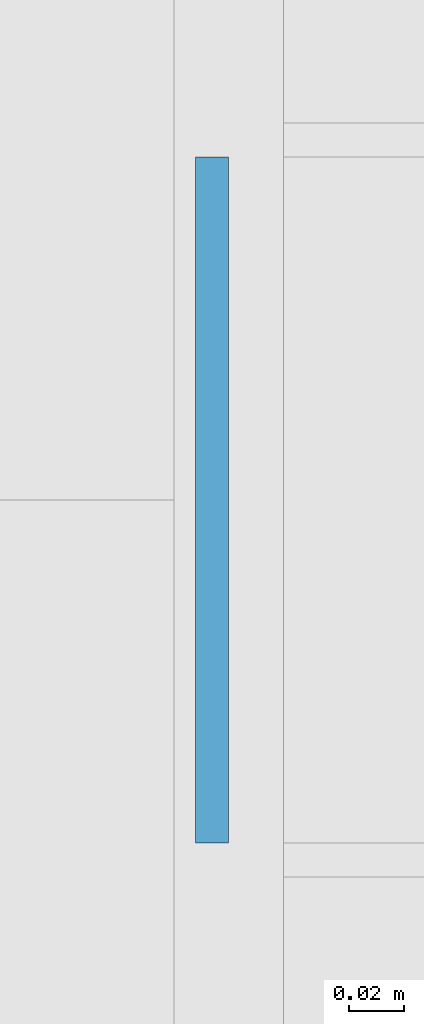
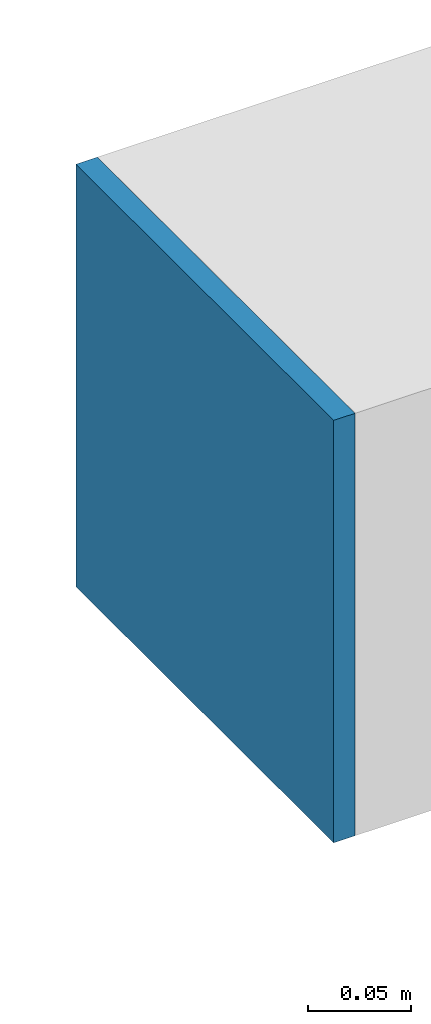
# One storey, part 46 of 58: 1 plate.
"""IFC4 building model written with IfcOpenShell, lengths in metres."""

from ifc_helpers import new_model, si_unit, direction, frame, origin, origin_2d, place, context, subcontext, project, spatial, rectangle, extrude, source, transform, mapped, material, layer, layer_set, type_object, element, save


model = new_model("IFC4")

# Units and contexts
model_context = context("Model", 3, precision=1e-05, world=origin(), true_north=direction((0.0, 1.0)))
body_context = subcontext(model_context, "Body", "Model", "MODEL_VIEW")
ifc_project = project(units=[si_unit("LENGTHUNIT", "METRE"), si_unit("AREAUNIT", "SQUARE_METRE"), si_unit("VOLUMEUNIT", "CUBIC_METRE"), si_unit("PLANEANGLEUNIT", "RADIAN"), si_unit("MASSUNIT", "GRAM", prefix="KILO")], contexts=[model_context])

# Site, building, storey
site_placement = place(None, origin())
site = spatial("IfcSite", under=ifc_project, at=site_placement, CompositionType="ELEMENT")
building_placement = place(site_placement, origin())
building = spatial("IfcBuilding", under=site, at=building_placement, Name="Taldren Reach Tower", CompositionType="ELEMENT")
storey_placement = place(building_placement, frame((0.0, 0.0, 54.60009765625)))
storey = spatial("IfcBuildingStorey", under=building, at=storey_placement, Name="L16", CompositionType="ELEMENT", Elevation=54.60009765625)

# Plate
ifc_material = material(Name="Steel Gr 350 (C350L0)", Category="steel")
ifc_layer = layer(ifc_material, 0.011962890625)
ifc_layer_set = layer_set([ifc_layer], Name="Steel Gr 350 (C350L0)")
plate_type = type_object("IfcPlateType", Name="PL-CAP-250", PredefinedType="SHEET", material=ifc_layer_set)
shared_shape = source(origin(), body_context, "Body", "SweptSolid", [
    extrude(rectangle(XDim=0.011962890625, YDim=0.25, at=origin_2d()), origin(), (0.0, 0.0, 1.0), 0.25),
])
plate_placement = place(storey_placement, frame((4.093994140625, 20.0, 0.094970703125), z_axis=(0.0, 0.0, 1.0), x_axis=(1.0, 0.0, 0.0)))
element("IfcPlate", 1, at=plate_placement, inside=storey, type_object=plate_type, Name="Tie strut end cap plate B1-W2 L16", PredefinedType="SHEET", context=body_context, shape_type="MappedRepresentation", body=[
    mapped(shared_shape, transform((0.0, 0.0, 0.0), scale=1.0)),
])

save(model, "model.ifc")
